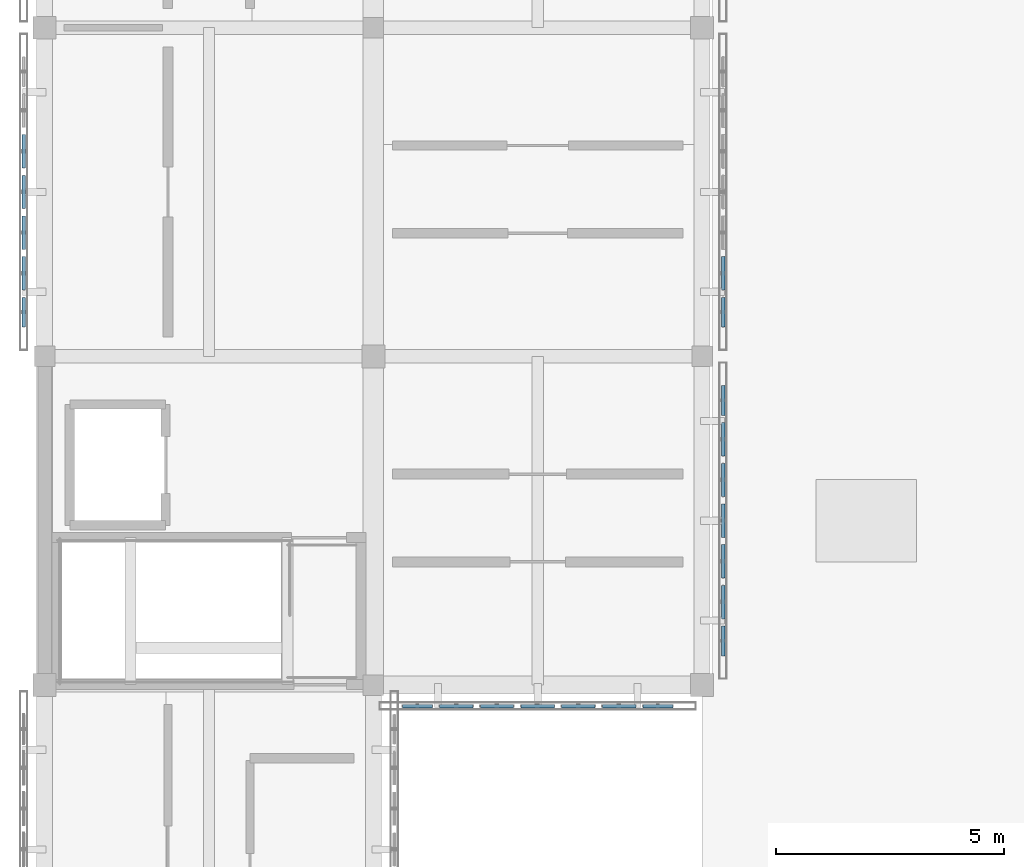
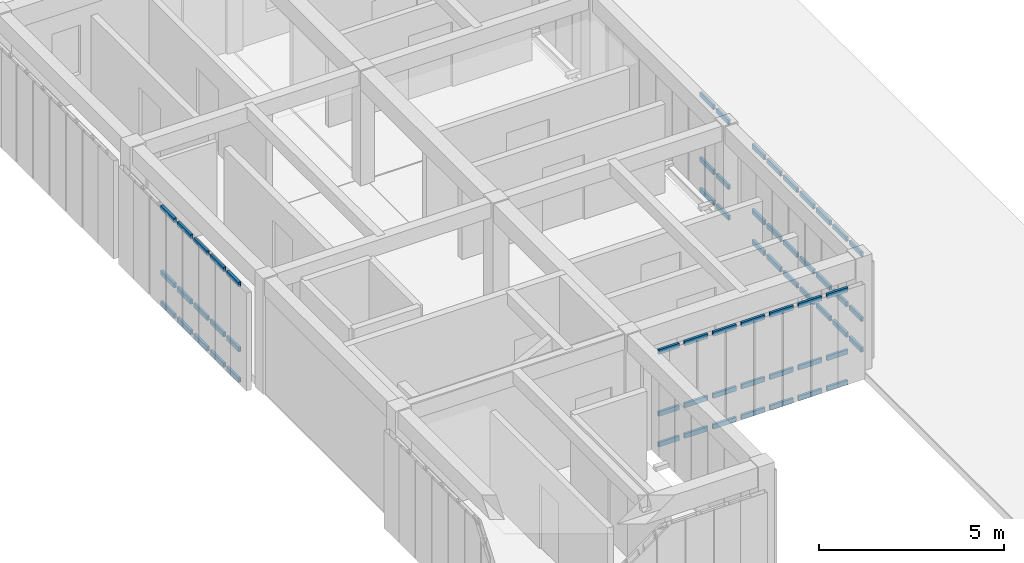
# One storey, part 14 of 67: 63 members, 4 elements without a shape of their own.
"""IFC4 building model written with IfcOpenShell, lengths in metres."""

from ifc_helpers import new_model, si_unit, direction, frame, origin, origin_2d, place, context, subcontext, project, spatial, hollow_rectangle, extrude, material, material_profile, profile_set, type_object, element, aggregate, save


model = new_model("IFC4")

# Units and contexts
model_context = context("Model", 3, precision=1e-05, world=origin(), true_north=direction((0.0, 1.0)))
body_context = subcontext(model_context, "Body", "Model", "MODEL_VIEW")
ifc_project = project(units=[si_unit("LENGTHUNIT", "METRE"), si_unit("AREAUNIT", "SQUARE_METRE"), si_unit("VOLUMEUNIT", "CUBIC_METRE"), si_unit("PLANEANGLEUNIT", "RADIAN"), si_unit("MASSUNIT", "GRAM", prefix="KILO")], contexts=[model_context])

# Site, building, storey
site_placement = place(None, origin())
site = spatial("IfcSite", under=ifc_project, at=site_placement, CompositionType="ELEMENT")
building_placement = place(site_placement, origin())
building = spatial("IfcBuilding", under=site, at=building_placement, Name="Aldebral Square Health Centre", CompositionType="ELEMENT")
storey_placement = place(building_placement, frame((0.0, 0.0, 13.5)))
storey = spatial("IfcBuildingStorey", under=building, at=storey_placement, Name="L03", CompositionType="ELEMENT", Elevation=13.5)

# Curtain wall, members
ifc_material_1 = material(Name="Aluminium and low-E solar glass", Category="aluminium")
curtain_wall_type = type_object("IfcCurtainWallType", Name="CW-FIN-SYS", PredefinedType="USERDEFINED", material=ifc_material_1)
curtain_wall_1_placement = place(storey_placement, origin())
curtain_wall_1 = element("IfcCurtainWall", 1, at=curtain_wall_1_placement, inside=storey, type_object=curtain_wall_type, Name="L03 V6 finned curtain wall L03-V6-00-05-W", ObjectType="SOLAR_CURTAIN_WALL", PredefinedType="USERDEFINED")
ifc_material_2 = material(Name="Anodised aluminium transom", Category="aluminium")
ifc_material_profile = material_profile(ifc_material_2, hollow_rectangle(XDim=0.074951171875, YDim=0.14990234375, WallThickness=0.00390625, at=origin_2d()), Name="CWT 75x150x4")
ifc_profile_set = profile_set([ifc_material_profile], Name="Anodised aluminium transom")
member_type = type_object("IfcMemberType", Name="CWT-STD", PredefinedType="USERDEFINED", material=ifc_profile_set)
member_1_placement = place(storey_placement, frame((-0.4599609375, 40.857177734375, 0.03759765625), z_axis=(0.0, -1.0, 0.0), x_axis=(1.0, 0.0, 0.0)))
member_1 = element("IfcMember", 2, at=member_1_placement, type_object=member_type, Name="CW1 transom 3.1", ObjectType="TRANSOM", PredefinedType="USERDEFINED", context=body_context, shape_type="SweptSolid", body=[
    extrude(hollow_rectangle(XDim=0.074951171875, YDim=0.14990234375, WallThickness=0.00390625, at=origin_2d()), origin(), (0.0, 0.0, 1.0), 0.7314453125),
])
member_2_placement = place(storey_placement, frame((-0.4599609375, 40.857177734375, 1.050048828125), z_axis=(0.0, -1.0, 0.0), x_axis=(1.0, 0.0, 0.0)))
member_2 = element("IfcMember", 3, at=member_2_placement, type_object=member_type, Name="CW1 transom 3.2", ObjectType="TRANSOM", PredefinedType="USERDEFINED", context=body_context, shape_type="SweptSolid", body=[
    extrude(hollow_rectangle(XDim=0.074951171875, YDim=0.14990234375, WallThickness=0.00390625, at=origin_2d()), origin(), (0.0, 0.0, 1.0), 0.7314453125),
])
member_3_placement = place(storey_placement, frame((-0.4599609375, 40.857177734375, 3.202392578125), z_axis=(0.0, -1.0, 0.0), x_axis=(1.0, 0.0, 0.0)))
member_3 = element("IfcMember", 4, at=member_3_placement, type_object=member_type, Name="CW1 transom 3.3", ObjectType="TRANSOM", PredefinedType="USERDEFINED", context=body_context, shape_type="SweptSolid", body=[
    extrude(hollow_rectangle(XDim=0.074951171875, YDim=0.14990234375, WallThickness=0.00390625, at=origin_2d()), origin(), (0.0, 0.0, 1.0), 0.7314453125),
])
member_4_placement = place(storey_placement, frame((-0.4599609375, 39.9658203125, 0.03759765625), z_axis=(0.0, -1.0, 0.0), x_axis=(1.0, 0.0, 0.0)))
member_4 = element("IfcMember", 5, at=member_4_placement, type_object=member_type, Name="CW1 transom 4.1", ObjectType="TRANSOM", PredefinedType="USERDEFINED", context=body_context, shape_type="SweptSolid", body=[
    extrude(hollow_rectangle(XDim=0.074951171875, YDim=0.14990234375, WallThickness=0.00390625, at=origin_2d()), origin(), (0.0, 0.0, 1.0), 0.7314453125),
])
member_5_placement = place(storey_placement, frame((-0.4599609375, 39.9658203125, 1.050048828125), z_axis=(0.0, -1.0, 0.0), x_axis=(1.0, 0.0, 0.0)))
member_5 = element("IfcMember", 6, at=member_5_placement, type_object=member_type, Name="CW1 transom 4.2", ObjectType="TRANSOM", PredefinedType="USERDEFINED", context=body_context, shape_type="SweptSolid", body=[
    extrude(hollow_rectangle(XDim=0.074951171875, YDim=0.14990234375, WallThickness=0.00390625, at=origin_2d()), origin(), (0.0, 0.0, 1.0), 0.7314453125),
])
member_6_placement = place(storey_placement, frame((-0.4599609375, 39.9658203125, 3.202392578125), z_axis=(0.0, -1.0, 0.0), x_axis=(1.0, 0.0, 0.0)))
member_6 = element("IfcMember", 7, at=member_6_placement, type_object=member_type, Name="CW1 transom 4.3", ObjectType="TRANSOM", PredefinedType="USERDEFINED", context=body_context, shape_type="SweptSolid", body=[
    extrude(hollow_rectangle(XDim=0.074951171875, YDim=0.14990234375, WallThickness=0.00390625, at=origin_2d()), origin(), (0.0, 0.0, 1.0), 0.7314453125),
])
member_7_placement = place(storey_placement, frame((-0.4599609375, 39.07421875, 0.03759765625), z_axis=(0.0, -1.0, 0.0), x_axis=(1.0, 0.0, 0.0)))
member_7 = element("IfcMember", 8, at=member_7_placement, type_object=member_type, Name="CW1 transom 5.1", ObjectType="TRANSOM", PredefinedType="USERDEFINED", context=body_context, shape_type="SweptSolid", body=[
    extrude(hollow_rectangle(XDim=0.074951171875, YDim=0.14990234375, WallThickness=0.00390625, at=origin_2d()), origin(), (0.0, 0.0, 1.0), 0.7314453125),
])
member_8_placement = place(storey_placement, frame((-0.4599609375, 39.07421875, 1.050048828125), z_axis=(0.0, -1.0, 0.0), x_axis=(1.0, 0.0, 0.0)))
member_8 = element("IfcMember", 9, at=member_8_placement, type_object=member_type, Name="CW1 transom 5.2", ObjectType="TRANSOM", PredefinedType="USERDEFINED", context=body_context, shape_type="SweptSolid", body=[
    extrude(hollow_rectangle(XDim=0.074951171875, YDim=0.14990234375, WallThickness=0.00390625, at=origin_2d()), origin(), (0.0, 0.0, 1.0), 0.7314453125),
])
member_9_placement = place(storey_placement, frame((-0.4599609375, 39.07421875, 3.202392578125), z_axis=(0.0, -1.0, 0.0), x_axis=(1.0, 0.0, 0.0)))
member_9 = element("IfcMember", 10, at=member_9_placement, type_object=member_type, Name="CW1 transom 5.3", ObjectType="TRANSOM", PredefinedType="USERDEFINED", context=body_context, shape_type="SweptSolid", body=[
    extrude(hollow_rectangle(XDim=0.074951171875, YDim=0.14990234375, WallThickness=0.00390625, at=origin_2d()), origin(), (0.0, 0.0, 1.0), 0.7314453125),
])
member_10_placement = place(storey_placement, frame((-0.4599609375, 38.182861328125, 0.03759765625), z_axis=(0.0, -1.0, 0.0), x_axis=(1.0, 0.0, 0.0)))
member_10 = element("IfcMember", 11, at=member_10_placement, type_object=member_type, Name="CW1 transom 6.1", ObjectType="TRANSOM", PredefinedType="USERDEFINED", context=body_context, shape_type="SweptSolid", body=[
    extrude(hollow_rectangle(XDim=0.074951171875, YDim=0.14990234375, WallThickness=0.00390625, at=origin_2d()), origin(), (0.0, 0.0, 1.0), 0.7314453125),
])
member_11_placement = place(storey_placement, frame((-0.4599609375, 38.182861328125, 1.050048828125), z_axis=(0.0, -1.0, 0.0), x_axis=(1.0, 0.0, 0.0)))
member_11 = element("IfcMember", 12, at=member_11_placement, type_object=member_type, Name="CW1 transom 6.2", ObjectType="TRANSOM", PredefinedType="USERDEFINED", context=body_context, shape_type="SweptSolid", body=[
    extrude(hollow_rectangle(XDim=0.074951171875, YDim=0.14990234375, WallThickness=0.00390625, at=origin_2d()), origin(), (0.0, 0.0, 1.0), 0.7314453125),
])
member_12_placement = place(storey_placement, frame((-0.4599609375, 38.182861328125, 3.202392578125), z_axis=(0.0, -1.0, 0.0), x_axis=(1.0, 0.0, 0.0)))
member_12 = element("IfcMember", 13, at=member_12_placement, type_object=member_type, Name="CW1 transom 6.3", ObjectType="TRANSOM", PredefinedType="USERDEFINED", context=body_context, shape_type="SweptSolid", body=[
    extrude(hollow_rectangle(XDim=0.074951171875, YDim=0.14990234375, WallThickness=0.00390625, at=origin_2d()), origin(), (0.0, 0.0, 1.0), 0.7314453125),
])
member_13_placement = place(storey_placement, frame((-0.4599609375, 37.29150390625, 0.03759765625), z_axis=(0.0, -1.0, 0.0), x_axis=(1.0, 0.0, 0.0)))
member_13 = element("IfcMember", 14, at=member_13_placement, type_object=member_type, Name="CW1 transom 7.1", ObjectType="TRANSOM", PredefinedType="USERDEFINED", context=body_context, shape_type="SweptSolid", body=[
    extrude(hollow_rectangle(XDim=0.074951171875, YDim=0.14990234375, WallThickness=0.00390625, at=origin_2d()), origin(), (0.0, 0.0, 1.0), 0.651611328125),
])
member_14_placement = place(storey_placement, frame((-0.4599609375, 37.29150390625, 1.050048828125), z_axis=(0.0, -1.0, 0.0), x_axis=(1.0, 0.0, 0.0)))
member_14 = element("IfcMember", 15, at=member_14_placement, type_object=member_type, Name="CW1 transom 7.2", ObjectType="TRANSOM", PredefinedType="USERDEFINED", context=body_context, shape_type="SweptSolid", body=[
    extrude(hollow_rectangle(XDim=0.074951171875, YDim=0.14990234375, WallThickness=0.00390625, at=origin_2d()), origin(), (0.0, 0.0, 1.0), 0.651611328125),
])
member_15_placement = place(storey_placement, frame((-0.4599609375, 37.29150390625, 3.202392578125), z_axis=(0.0, -1.0, 0.0), x_axis=(1.0, 0.0, 0.0)))
member_15 = element("IfcMember", 16, at=member_15_placement, type_object=member_type, Name="CW1 transom 7.3", ObjectType="TRANSOM", PredefinedType="USERDEFINED", context=body_context, shape_type="SweptSolid", body=[
    extrude(hollow_rectangle(XDim=0.074951171875, YDim=0.14990234375, WallThickness=0.00390625, at=origin_2d()), origin(), (0.0, 0.0, 1.0), 0.651611328125),
])
aggregate(curtain_wall_1, [member_1, member_2, member_3, member_4, member_5, member_6, member_7, member_8, member_9, member_10, member_11, member_12, member_13, member_14, member_15])

curtain_wall_2_placement = place(storey_placement, origin())
curtain_wall_2 = element("IfcCurtainWall", 17, at=curtain_wall_2_placement, inside=storey, type_object=curtain_wall_type, Name="L03 V6 finned curtain wall L03-V6-01-04-S", ObjectType="SOLAR_CURTAIN_WALL", PredefinedType="USERDEFINED")
member_16_placement = place(storey_placement, frame((7.840087890625, 28.340087890625, 0.03759765625), z_axis=(1.0, 0.0, 0.0), x_axis=(0.0, 1.0, 0.0)))
member_16 = element("IfcMember", 18, at=member_16_placement, type_object=member_type, Name="CW1 transom 1.1", ObjectType="TRANSOM", PredefinedType="USERDEFINED", context=body_context, shape_type="SweptSolid", body=[
    extrude(hollow_rectangle(XDim=0.074951171875, YDim=0.14990234375, WallThickness=0.00390625, at=origin_2d()), origin(), (0.0, 0.0, 1.0), 0.6513671875),
])
member_17_placement = place(storey_placement, frame((7.840087890625, 28.340087890625, 1.050048828125), z_axis=(1.0, 0.0, 0.0), x_axis=(0.0, 1.0, 0.0)))
member_17 = element("IfcMember", 19, at=member_17_placement, type_object=member_type, Name="CW1 transom 1.2", ObjectType="TRANSOM", PredefinedType="USERDEFINED", context=body_context, shape_type="SweptSolid", body=[
    extrude(hollow_rectangle(XDim=0.074951171875, YDim=0.14990234375, WallThickness=0.00390625, at=origin_2d()), origin(), (0.0, 0.0, 1.0), 0.6513671875),
])
member_18_placement = place(storey_placement, frame((7.840087890625, 28.340087890625, 3.1025390625), z_axis=(1.0, 0.0, 0.0), x_axis=(0.0, 1.0, 0.0)))
member_18 = element("IfcMember", 20, at=member_18_placement, type_object=member_type, Name="CW1 transom 1.3", ObjectType="TRANSOM", PredefinedType="USERDEFINED", context=body_context, shape_type="SweptSolid", body=[
    extrude(hollow_rectangle(XDim=0.074951171875, YDim=0.14990234375, WallThickness=0.00390625, at=origin_2d()), origin(), (0.0, 0.0, 1.0), 0.6513671875),
])
member_19_placement = place(storey_placement, frame((8.6513671875, 28.340087890625, 0.03759765625), z_axis=(1.0, 0.0, 0.0), x_axis=(0.0, 1.0, 0.0)))
member_19 = element("IfcMember", 21, at=member_19_placement, type_object=member_type, Name="CW1 transom 2.1", ObjectType="TRANSOM", PredefinedType="USERDEFINED", context=body_context, shape_type="SweptSolid", body=[
    extrude(hollow_rectangle(XDim=0.074951171875, YDim=0.14990234375, WallThickness=0.00390625, at=origin_2d()), origin(), (0.0, 0.0, 1.0), 0.7314453125),
])
member_20_placement = place(storey_placement, frame((8.6513671875, 28.340087890625, 1.050048828125), z_axis=(1.0, 0.0, 0.0), x_axis=(0.0, 1.0, 0.0)))
member_20 = element("IfcMember", 22, at=member_20_placement, type_object=member_type, Name="CW1 transom 2.2", ObjectType="TRANSOM", PredefinedType="USERDEFINED", context=body_context, shape_type="SweptSolid", body=[
    extrude(hollow_rectangle(XDim=0.074951171875, YDim=0.14990234375, WallThickness=0.00390625, at=origin_2d()), origin(), (0.0, 0.0, 1.0), 0.7314453125),
])
member_21_placement = place(storey_placement, frame((8.6513671875, 28.340087890625, 3.1025390625), z_axis=(1.0, 0.0, 0.0), x_axis=(0.0, 1.0, 0.0)))
member_21 = element("IfcMember", 23, at=member_21_placement, type_object=member_type, Name="CW1 transom 2.3", ObjectType="TRANSOM", PredefinedType="USERDEFINED", context=body_context, shape_type="SweptSolid", body=[
    extrude(hollow_rectangle(XDim=0.074951171875, YDim=0.14990234375, WallThickness=0.00390625, at=origin_2d()), origin(), (0.0, 0.0, 1.0), 0.7314453125),
])
member_22_placement = place(storey_placement, frame((9.54296875, 28.340087890625, 0.03759765625), z_axis=(1.0, 0.0, 0.0), x_axis=(0.0, 1.0, 0.0)))
member_22 = element("IfcMember", 24, at=member_22_placement, type_object=member_type, Name="CW1 transom 3.1", ObjectType="TRANSOM", PredefinedType="USERDEFINED", context=body_context, shape_type="SweptSolid", body=[
    extrude(hollow_rectangle(XDim=0.074951171875, YDim=0.14990234375, WallThickness=0.00390625, at=origin_2d()), origin(), (0.0, 0.0, 1.0), 0.731201171875),
])
member_23_placement = place(storey_placement, frame((9.54296875, 28.340087890625, 1.050048828125), z_axis=(1.0, 0.0, 0.0), x_axis=(0.0, 1.0, 0.0)))
member_23 = element("IfcMember", 25, at=member_23_placement, type_object=member_type, Name="CW1 transom 3.2", ObjectType="TRANSOM", PredefinedType="USERDEFINED", context=body_context, shape_type="SweptSolid", body=[
    extrude(hollow_rectangle(XDim=0.074951171875, YDim=0.14990234375, WallThickness=0.00390625, at=origin_2d()), origin(), (0.0, 0.0, 1.0), 0.731201171875),
])
member_24_placement = place(storey_placement, frame((9.54296875, 28.340087890625, 3.1025390625), z_axis=(1.0, 0.0, 0.0), x_axis=(0.0, 1.0, 0.0)))
member_24 = element("IfcMember", 26, at=member_24_placement, type_object=member_type, Name="CW1 transom 3.3", ObjectType="TRANSOM", PredefinedType="USERDEFINED", context=body_context, shape_type="SweptSolid", body=[
    extrude(hollow_rectangle(XDim=0.074951171875, YDim=0.14990234375, WallThickness=0.00390625, at=origin_2d()), origin(), (0.0, 0.0, 1.0), 0.731201171875),
])
member_25_placement = place(storey_placement, frame((10.434326171875, 28.340087890625, 0.03759765625), z_axis=(1.0, 0.0, 0.0), x_axis=(0.0, 1.0, 0.0)))
member_25 = element("IfcMember", 27, at=member_25_placement, type_object=member_type, Name="CW1 transom 4.1", ObjectType="TRANSOM", PredefinedType="USERDEFINED", context=body_context, shape_type="SweptSolid", body=[
    extrude(hollow_rectangle(XDim=0.074951171875, YDim=0.14990234375, WallThickness=0.00390625, at=origin_2d()), origin(), (0.0, 0.0, 1.0), 0.7314453125),
])
member_26_placement = place(storey_placement, frame((10.434326171875, 28.340087890625, 1.050048828125), z_axis=(1.0, 0.0, 0.0), x_axis=(0.0, 1.0, 0.0)))
member_26 = element("IfcMember", 28, at=member_26_placement, type_object=member_type, Name="CW1 transom 4.2", ObjectType="TRANSOM", PredefinedType="USERDEFINED", context=body_context, shape_type="SweptSolid", body=[
    extrude(hollow_rectangle(XDim=0.074951171875, YDim=0.14990234375, WallThickness=0.00390625, at=origin_2d()), origin(), (0.0, 0.0, 1.0), 0.7314453125),
])
member_27_placement = place(storey_placement, frame((10.434326171875, 28.340087890625, 3.1025390625), z_axis=(1.0, 0.0, 0.0), x_axis=(0.0, 1.0, 0.0)))
member_27 = element("IfcMember", 29, at=member_27_placement, type_object=member_type, Name="CW1 transom 4.3", ObjectType="TRANSOM", PredefinedType="USERDEFINED", context=body_context, shape_type="SweptSolid", body=[
    extrude(hollow_rectangle(XDim=0.074951171875, YDim=0.14990234375, WallThickness=0.00390625, at=origin_2d()), origin(), (0.0, 0.0, 1.0), 0.7314453125),
])
member_28_placement = place(storey_placement, frame((11.32568359375, 28.340087890625, 0.03759765625), z_axis=(1.0, 0.0, 0.0), x_axis=(0.0, 1.0, 0.0)))
member_28 = element("IfcMember", 30, at=member_28_placement, type_object=member_type, Name="CW1 transom 5.1", ObjectType="TRANSOM", PredefinedType="USERDEFINED", context=body_context, shape_type="SweptSolid", body=[
    extrude(hollow_rectangle(XDim=0.074951171875, YDim=0.14990234375, WallThickness=0.00390625, at=origin_2d()), origin(), (0.0, 0.0, 1.0), 0.7314453125),
])
member_29_placement = place(storey_placement, frame((11.32568359375, 28.340087890625, 1.050048828125), z_axis=(1.0, 0.0, 0.0), x_axis=(0.0, 1.0, 0.0)))
member_29 = element("IfcMember", 31, at=member_29_placement, type_object=member_type, Name="CW1 transom 5.2", ObjectType="TRANSOM", PredefinedType="USERDEFINED", context=body_context, shape_type="SweptSolid", body=[
    extrude(hollow_rectangle(XDim=0.074951171875, YDim=0.14990234375, WallThickness=0.00390625, at=origin_2d()), origin(), (0.0, 0.0, 1.0), 0.7314453125),
])
member_30_placement = place(storey_placement, frame((11.32568359375, 28.340087890625, 3.1025390625), z_axis=(1.0, 0.0, 0.0), x_axis=(0.0, 1.0, 0.0)))
member_30 = element("IfcMember", 32, at=member_30_placement, type_object=member_type, Name="CW1 transom 5.3", ObjectType="TRANSOM", PredefinedType="USERDEFINED", context=body_context, shape_type="SweptSolid", body=[
    extrude(hollow_rectangle(XDim=0.074951171875, YDim=0.14990234375, WallThickness=0.00390625, at=origin_2d()), origin(), (0.0, 0.0, 1.0), 0.7314453125),
])
member_31_placement = place(storey_placement, frame((12.217041015625, 28.340087890625, 0.03759765625), z_axis=(1.0, 0.0, 0.0), x_axis=(0.0, 1.0, 0.0)))
member_31 = element("IfcMember", 33, at=member_31_placement, type_object=member_type, Name="CW1 transom 6.1", ObjectType="TRANSOM", PredefinedType="USERDEFINED", context=body_context, shape_type="SweptSolid", body=[
    extrude(hollow_rectangle(XDim=0.074951171875, YDim=0.14990234375, WallThickness=0.00390625, at=origin_2d()), origin(), (0.0, 0.0, 1.0), 0.7314453125),
])
member_32_placement = place(storey_placement, frame((12.217041015625, 28.340087890625, 1.050048828125), z_axis=(1.0, 0.0, 0.0), x_axis=(0.0, 1.0, 0.0)))
member_32 = element("IfcMember", 34, at=member_32_placement, type_object=member_type, Name="CW1 transom 6.2", ObjectType="TRANSOM", PredefinedType="USERDEFINED", context=body_context, shape_type="SweptSolid", body=[
    extrude(hollow_rectangle(XDim=0.074951171875, YDim=0.14990234375, WallThickness=0.00390625, at=origin_2d()), origin(), (0.0, 0.0, 1.0), 0.7314453125),
])
member_33_placement = place(storey_placement, frame((12.217041015625, 28.340087890625, 3.1025390625), z_axis=(1.0, 0.0, 0.0), x_axis=(0.0, 1.0, 0.0)))
member_33 = element("IfcMember", 35, at=member_33_placement, type_object=member_type, Name="CW1 transom 6.3", ObjectType="TRANSOM", PredefinedType="USERDEFINED", context=body_context, shape_type="SweptSolid", body=[
    extrude(hollow_rectangle(XDim=0.074951171875, YDim=0.14990234375, WallThickness=0.00390625, at=origin_2d()), origin(), (0.0, 0.0, 1.0), 0.7314453125),
])
member_34_placement = place(storey_placement, frame((13.108642578125, 28.340087890625, 0.03759765625), z_axis=(1.0, 0.0, 0.0), x_axis=(0.0, 1.0, 0.0)))
member_34 = element("IfcMember", 36, at=member_34_placement, type_object=member_type, Name="CW1 transom 7.1", ObjectType="TRANSOM", PredefinedType="USERDEFINED", context=body_context, shape_type="SweptSolid", body=[
    extrude(hollow_rectangle(XDim=0.074951171875, YDim=0.14990234375, WallThickness=0.00390625, at=origin_2d()), origin(), (0.0, 0.0, 1.0), 0.6513671875),
])
member_35_placement = place(storey_placement, frame((13.108642578125, 28.340087890625, 1.050048828125), z_axis=(1.0, 0.0, 0.0), x_axis=(0.0, 1.0, 0.0)))
member_35 = element("IfcMember", 37, at=member_35_placement, type_object=member_type, Name="CW1 transom 7.2", ObjectType="TRANSOM", PredefinedType="USERDEFINED", context=body_context, shape_type="SweptSolid", body=[
    extrude(hollow_rectangle(XDim=0.074951171875, YDim=0.14990234375, WallThickness=0.00390625, at=origin_2d()), origin(), (0.0, 0.0, 1.0), 0.6513671875),
])
member_36_placement = place(storey_placement, frame((13.108642578125, 28.340087890625, 3.1025390625), z_axis=(1.0, 0.0, 0.0), x_axis=(0.0, 1.0, 0.0)))
member_36 = element("IfcMember", 38, at=member_36_placement, type_object=member_type, Name="CW1 transom 7.3", ObjectType="TRANSOM", PredefinedType="USERDEFINED", context=body_context, shape_type="SweptSolid", body=[
    extrude(hollow_rectangle(XDim=0.074951171875, YDim=0.14990234375, WallThickness=0.00390625, at=origin_2d()), origin(), (0.0, 0.0, 1.0), 0.6513671875),
])
aggregate(curtain_wall_2, [member_16, member_17, member_18, member_19, member_20, member_21, member_22, member_23, member_24, member_25, member_26, member_27, member_28, member_29, member_30, member_31, member_32, member_33, member_34, member_35, member_36])

curtain_wall_3_placement = place(storey_placement, origin())
curtain_wall_3 = element("IfcCurtainWall", 39, at=curtain_wall_3_placement, inside=storey, type_object=curtain_wall_type, Name="L03 V6 finned curtain wall L03-V6-01-04-E", ObjectType="SOLAR_CURTAIN_WALL", PredefinedType="USERDEFINED")
member_37_placement = place(storey_placement, frame((14.860107421875, 29.43994140625, 0.03759765625), z_axis=(0.0, 1.0, 0.0), x_axis=(-1.0, 0.0, 0.0)))
member_37 = element("IfcMember", 40, at=member_37_placement, type_object=member_type, Name="CW1 transom 1.1", ObjectType="TRANSOM", PredefinedType="USERDEFINED", context=body_context, shape_type="SweptSolid", body=[
    extrude(hollow_rectangle(XDim=0.074951171875, YDim=0.14990234375, WallThickness=0.00390625, at=origin_2d()), origin(), (0.0, 0.0, 1.0), 0.6513671875),
])
member_38_placement = place(storey_placement, frame((14.860107421875, 29.43994140625, 1.050048828125), z_axis=(0.0, 1.0, 0.0), x_axis=(-1.0, 0.0, 0.0)))
member_38 = element("IfcMember", 41, at=member_38_placement, type_object=member_type, Name="CW1 transom 1.2", ObjectType="TRANSOM", PredefinedType="USERDEFINED", context=body_context, shape_type="SweptSolid", body=[
    extrude(hollow_rectangle(XDim=0.074951171875, YDim=0.14990234375, WallThickness=0.00390625, at=origin_2d()), origin(), (0.0, 0.0, 1.0), 0.6513671875),
])
member_39_placement = place(storey_placement, frame((14.860107421875, 29.43994140625, 3.202392578125), z_axis=(0.0, 1.0, 0.0), x_axis=(-1.0, 0.0, 0.0)))
member_39 = element("IfcMember", 42, at=member_39_placement, type_object=member_type, Name="CW1 transom 1.3", ObjectType="TRANSOM", PredefinedType="USERDEFINED", context=body_context, shape_type="SweptSolid", body=[
    extrude(hollow_rectangle(XDim=0.074951171875, YDim=0.14990234375, WallThickness=0.00390625, at=origin_2d()), origin(), (0.0, 0.0, 1.0), 0.6513671875),
])
member_40_placement = place(storey_placement, frame((14.860107421875, 30.25146484375, 0.03759765625), z_axis=(0.0, 1.0, 0.0), x_axis=(-1.0, 0.0, 0.0)))
member_40 = element("IfcMember", 43, at=member_40_placement, type_object=member_type, Name="CW1 transom 2.1", ObjectType="TRANSOM", PredefinedType="USERDEFINED", context=body_context, shape_type="SweptSolid", body=[
    extrude(hollow_rectangle(XDim=0.074951171875, YDim=0.14990234375, WallThickness=0.00390625, at=origin_2d()), origin(), (0.0, 0.0, 1.0), 0.7314453125),
])
member_41_placement = place(storey_placement, frame((14.860107421875, 30.25146484375, 1.050048828125), z_axis=(0.0, 1.0, 0.0), x_axis=(-1.0, 0.0, 0.0)))
member_41 = element("IfcMember", 44, at=member_41_placement, type_object=member_type, Name="CW1 transom 2.2", ObjectType="TRANSOM", PredefinedType="USERDEFINED", context=body_context, shape_type="SweptSolid", body=[
    extrude(hollow_rectangle(XDim=0.074951171875, YDim=0.14990234375, WallThickness=0.00390625, at=origin_2d()), origin(), (0.0, 0.0, 1.0), 0.7314453125),
])
member_42_placement = place(storey_placement, frame((14.860107421875, 30.25146484375, 3.202392578125), z_axis=(0.0, 1.0, 0.0), x_axis=(-1.0, 0.0, 0.0)))
member_42 = element("IfcMember", 45, at=member_42_placement, type_object=member_type, Name="CW1 transom 2.3", ObjectType="TRANSOM", PredefinedType="USERDEFINED", context=body_context, shape_type="SweptSolid", body=[
    extrude(hollow_rectangle(XDim=0.074951171875, YDim=0.14990234375, WallThickness=0.00390625, at=origin_2d()), origin(), (0.0, 0.0, 1.0), 0.7314453125),
])
member_43_placement = place(storey_placement, frame((14.860107421875, 31.142822265625, 0.03759765625), z_axis=(0.0, 1.0, 0.0), x_axis=(-1.0, 0.0, 0.0)))
member_43 = element("IfcMember", 46, at=member_43_placement, type_object=member_type, Name="CW1 transom 3.1", ObjectType="TRANSOM", PredefinedType="USERDEFINED", context=body_context, shape_type="SweptSolid", body=[
    extrude(hollow_rectangle(XDim=0.074951171875, YDim=0.14990234375, WallThickness=0.00390625, at=origin_2d()), origin(), (0.0, 0.0, 1.0), 0.7314453125),
])
member_44_placement = place(storey_placement, frame((14.860107421875, 31.142822265625, 1.050048828125), z_axis=(0.0, 1.0, 0.0), x_axis=(-1.0, 0.0, 0.0)))
member_44 = element("IfcMember", 47, at=member_44_placement, type_object=member_type, Name="CW1 transom 3.2", ObjectType="TRANSOM", PredefinedType="USERDEFINED", context=body_context, shape_type="SweptSolid", body=[
    extrude(hollow_rectangle(XDim=0.074951171875, YDim=0.14990234375, WallThickness=0.00390625, at=origin_2d()), origin(), (0.0, 0.0, 1.0), 0.7314453125),
])
member_45_placement = place(storey_placement, frame((14.860107421875, 31.142822265625, 3.202392578125), z_axis=(0.0, 1.0, 0.0), x_axis=(-1.0, 0.0, 0.0)))
member_45 = element("IfcMember", 48, at=member_45_placement, type_object=member_type, Name="CW1 transom 3.3", ObjectType="TRANSOM", PredefinedType="USERDEFINED", context=body_context, shape_type="SweptSolid", body=[
    extrude(hollow_rectangle(XDim=0.074951171875, YDim=0.14990234375, WallThickness=0.00390625, at=origin_2d()), origin(), (0.0, 0.0, 1.0), 0.7314453125),
])
member_46_placement = place(storey_placement, frame((14.860107421875, 32.0341796875, 0.03759765625), z_axis=(0.0, 1.0, 0.0), x_axis=(-1.0, 0.0, 0.0)))
member_46 = element("IfcMember", 49, at=member_46_placement, type_object=member_type, Name="CW1 transom 4.1", ObjectType="TRANSOM", PredefinedType="USERDEFINED", context=body_context, shape_type="SweptSolid", body=[
    extrude(hollow_rectangle(XDim=0.074951171875, YDim=0.14990234375, WallThickness=0.00390625, at=origin_2d()), origin(), (0.0, 0.0, 1.0), 0.7314453125),
])
member_47_placement = place(storey_placement, frame((14.860107421875, 32.0341796875, 1.050048828125), z_axis=(0.0, 1.0, 0.0), x_axis=(-1.0, 0.0, 0.0)))
member_47 = element("IfcMember", 50, at=member_47_placement, type_object=member_type, Name="CW1 transom 4.2", ObjectType="TRANSOM", PredefinedType="USERDEFINED", context=body_context, shape_type="SweptSolid", body=[
    extrude(hollow_rectangle(XDim=0.074951171875, YDim=0.14990234375, WallThickness=0.00390625, at=origin_2d()), origin(), (0.0, 0.0, 1.0), 0.7314453125),
])
member_48_placement = place(storey_placement, frame((14.860107421875, 32.0341796875, 3.202392578125), z_axis=(0.0, 1.0, 0.0), x_axis=(-1.0, 0.0, 0.0)))
member_48 = element("IfcMember", 51, at=member_48_placement, type_object=member_type, Name="CW1 transom 4.3", ObjectType="TRANSOM", PredefinedType="USERDEFINED", context=body_context, shape_type="SweptSolid", body=[
    extrude(hollow_rectangle(XDim=0.074951171875, YDim=0.14990234375, WallThickness=0.00390625, at=origin_2d()), origin(), (0.0, 0.0, 1.0), 0.7314453125),
])
member_49_placement = place(storey_placement, frame((14.860107421875, 32.92578125, 0.03759765625), z_axis=(0.0, 1.0, 0.0), x_axis=(-1.0, 0.0, 0.0)))
member_49 = element("IfcMember", 52, at=member_49_placement, type_object=member_type, Name="CW1 transom 5.1", ObjectType="TRANSOM", PredefinedType="USERDEFINED", context=body_context, shape_type="SweptSolid", body=[
    extrude(hollow_rectangle(XDim=0.074951171875, YDim=0.14990234375, WallThickness=0.00390625, at=origin_2d()), origin(), (0.0, 0.0, 1.0), 0.7314453125),
])
member_50_placement = place(storey_placement, frame((14.860107421875, 32.92578125, 1.050048828125), z_axis=(0.0, 1.0, 0.0), x_axis=(-1.0, 0.0, 0.0)))
member_50 = element("IfcMember", 53, at=member_50_placement, type_object=member_type, Name="CW1 transom 5.2", ObjectType="TRANSOM", PredefinedType="USERDEFINED", context=body_context, shape_type="SweptSolid", body=[
    extrude(hollow_rectangle(XDim=0.074951171875, YDim=0.14990234375, WallThickness=0.00390625, at=origin_2d()), origin(), (0.0, 0.0, 1.0), 0.7314453125),
])
member_51_placement = place(storey_placement, frame((14.860107421875, 32.92578125, 3.202392578125), z_axis=(0.0, 1.0, 0.0), x_axis=(-1.0, 0.0, 0.0)))
member_51 = element("IfcMember", 54, at=member_51_placement, type_object=member_type, Name="CW1 transom 5.3", ObjectType="TRANSOM", PredefinedType="USERDEFINED", context=body_context, shape_type="SweptSolid", body=[
    extrude(hollow_rectangle(XDim=0.074951171875, YDim=0.14990234375, WallThickness=0.00390625, at=origin_2d()), origin(), (0.0, 0.0, 1.0), 0.7314453125),
])
member_52_placement = place(storey_placement, frame((14.860107421875, 33.817138671875, 0.03759765625), z_axis=(0.0, 1.0, 0.0), x_axis=(-1.0, 0.0, 0.0)))
member_52 = element("IfcMember", 55, at=member_52_placement, type_object=member_type, Name="CW1 transom 6.1", ObjectType="TRANSOM", PredefinedType="USERDEFINED", context=body_context, shape_type="SweptSolid", body=[
    extrude(hollow_rectangle(XDim=0.074951171875, YDim=0.14990234375, WallThickness=0.00390625, at=origin_2d()), origin(), (0.0, 0.0, 1.0), 0.7314453125),
])
member_53_placement = place(storey_placement, frame((14.860107421875, 33.817138671875, 1.050048828125), z_axis=(0.0, 1.0, 0.0), x_axis=(-1.0, 0.0, 0.0)))
member_53 = element("IfcMember", 56, at=member_53_placement, type_object=member_type, Name="CW1 transom 6.2", ObjectType="TRANSOM", PredefinedType="USERDEFINED", context=body_context, shape_type="SweptSolid", body=[
    extrude(hollow_rectangle(XDim=0.074951171875, YDim=0.14990234375, WallThickness=0.00390625, at=origin_2d()), origin(), (0.0, 0.0, 1.0), 0.7314453125),
])
member_54_placement = place(storey_placement, frame((14.860107421875, 33.817138671875, 3.202392578125), z_axis=(0.0, 1.0, 0.0), x_axis=(-1.0, 0.0, 0.0)))
member_54 = element("IfcMember", 57, at=member_54_placement, type_object=member_type, Name="CW1 transom 6.3", ObjectType="TRANSOM", PredefinedType="USERDEFINED", context=body_context, shape_type="SweptSolid", body=[
    extrude(hollow_rectangle(XDim=0.074951171875, YDim=0.14990234375, WallThickness=0.00390625, at=origin_2d()), origin(), (0.0, 0.0, 1.0), 0.7314453125),
])
member_55_placement = place(storey_placement, frame((14.860107421875, 34.70849609375, 0.03759765625), z_axis=(0.0, 1.0, 0.0), x_axis=(-1.0, 0.0, 0.0)))
member_55 = element("IfcMember", 58, at=member_55_placement, type_object=member_type, Name="CW1 transom 7.1", ObjectType="TRANSOM", PredefinedType="USERDEFINED", context=body_context, shape_type="SweptSolid", body=[
    extrude(hollow_rectangle(XDim=0.074951171875, YDim=0.14990234375, WallThickness=0.00390625, at=origin_2d()), origin(), (0.0, 0.0, 1.0), 0.651611328125),
])
member_56_placement = place(storey_placement, frame((14.860107421875, 34.70849609375, 1.050048828125), z_axis=(0.0, 1.0, 0.0), x_axis=(-1.0, 0.0, 0.0)))
member_56 = element("IfcMember", 59, at=member_56_placement, type_object=member_type, Name="CW1 transom 7.2", ObjectType="TRANSOM", PredefinedType="USERDEFINED", context=body_context, shape_type="SweptSolid", body=[
    extrude(hollow_rectangle(XDim=0.074951171875, YDim=0.14990234375, WallThickness=0.00390625, at=origin_2d()), origin(), (0.0, 0.0, 1.0), 0.651611328125),
])
member_57_placement = place(storey_placement, frame((14.860107421875, 34.70849609375, 3.202392578125), z_axis=(0.0, 1.0, 0.0), x_axis=(-1.0, 0.0, 0.0)))
member_57 = element("IfcMember", 60, at=member_57_placement, type_object=member_type, Name="CW1 transom 7.3", ObjectType="TRANSOM", PredefinedType="USERDEFINED", context=body_context, shape_type="SweptSolid", body=[
    extrude(hollow_rectangle(XDim=0.074951171875, YDim=0.14990234375, WallThickness=0.00390625, at=origin_2d()), origin(), (0.0, 0.0, 1.0), 0.651611328125),
])
aggregate(curtain_wall_3, [member_37, member_38, member_39, member_40, member_41, member_42, member_43, member_44, member_45, member_46, member_47, member_48, member_49, member_50, member_51, member_52, member_53, member_54, member_55, member_56, member_57])

curtain_wall_4_placement = place(storey_placement, origin())
curtain_wall_4 = element("IfcCurtainWall", 61, at=curtain_wall_4_placement, inside=storey, type_object=curtain_wall_type, Name="L03 V6 finned curtain wall L03-V6-01-05-E", ObjectType="SOLAR_CURTAIN_WALL", PredefinedType="USERDEFINED")
member_58_placement = place(storey_placement, frame((14.860107421875, 36.639892578125, 0.03759765625), z_axis=(0.0, 1.0, 0.0), x_axis=(-1.0, 0.0, 0.0)))
member_58 = element("IfcMember", 62, at=member_58_placement, type_object=member_type, Name="CW1 transom 1.1", ObjectType="TRANSOM", PredefinedType="USERDEFINED", context=body_context, shape_type="SweptSolid", body=[
    extrude(hollow_rectangle(XDim=0.074951171875, YDim=0.14990234375, WallThickness=0.00390625, at=origin_2d()), origin(), (0.0, 0.0, 1.0), 0.651611328125),
])
member_59_placement = place(storey_placement, frame((14.860107421875, 36.639892578125, 1.050048828125), z_axis=(0.0, 1.0, 0.0), x_axis=(-1.0, 0.0, 0.0)))
member_59 = element("IfcMember", 63, at=member_59_placement, type_object=member_type, Name="CW1 transom 1.2", ObjectType="TRANSOM", PredefinedType="USERDEFINED", context=body_context, shape_type="SweptSolid", body=[
    extrude(hollow_rectangle(XDim=0.074951171875, YDim=0.14990234375, WallThickness=0.00390625, at=origin_2d()), origin(), (0.0, 0.0, 1.0), 0.651611328125),
])
member_60_placement = place(storey_placement, frame((14.860107421875, 36.639892578125, 3.202392578125), z_axis=(0.0, 1.0, 0.0), x_axis=(-1.0, 0.0, 0.0)))
member_60 = element("IfcMember", 64, at=member_60_placement, type_object=member_type, Name="CW1 transom 1.3", ObjectType="TRANSOM", PredefinedType="USERDEFINED", context=body_context, shape_type="SweptSolid", body=[
    extrude(hollow_rectangle(XDim=0.074951171875, YDim=0.14990234375, WallThickness=0.00390625, at=origin_2d()), origin(), (0.0, 0.0, 1.0), 0.651611328125),
])
member_61_placement = place(storey_placement, frame((14.860107421875, 37.451416015625, 0.03759765625), z_axis=(0.0, 1.0, 0.0), x_axis=(-1.0, 0.0, 0.0)))
member_61 = element("IfcMember", 65, at=member_61_placement, type_object=member_type, Name="CW1 transom 2.1", ObjectType="TRANSOM", PredefinedType="USERDEFINED", context=body_context, shape_type="SweptSolid", body=[
    extrude(hollow_rectangle(XDim=0.074951171875, YDim=0.14990234375, WallThickness=0.00390625, at=origin_2d()), origin(), (0.0, 0.0, 1.0), 0.7314453125),
])
member_62_placement = place(storey_placement, frame((14.860107421875, 37.451416015625, 1.050048828125), z_axis=(0.0, 1.0, 0.0), x_axis=(-1.0, 0.0, 0.0)))
member_62 = element("IfcMember", 66, at=member_62_placement, type_object=member_type, Name="CW1 transom 2.2", ObjectType="TRANSOM", PredefinedType="USERDEFINED", context=body_context, shape_type="SweptSolid", body=[
    extrude(hollow_rectangle(XDim=0.074951171875, YDim=0.14990234375, WallThickness=0.00390625, at=origin_2d()), origin(), (0.0, 0.0, 1.0), 0.7314453125),
])
member_63_placement = place(storey_placement, frame((14.860107421875, 37.451416015625, 3.202392578125), z_axis=(0.0, 1.0, 0.0), x_axis=(-1.0, 0.0, 0.0)))
member_63 = element("IfcMember", 67, at=member_63_placement, type_object=member_type, Name="CW1 transom 2.3", ObjectType="TRANSOM", PredefinedType="USERDEFINED", context=body_context, shape_type="SweptSolid", body=[
    extrude(hollow_rectangle(XDim=0.074951171875, YDim=0.14990234375, WallThickness=0.00390625, at=origin_2d()), origin(), (0.0, 0.0, 1.0), 0.7314453125),
])
aggregate(curtain_wall_4, [member_58, member_59, member_60, member_61, member_62, member_63])

save(model, "model.ifc")
